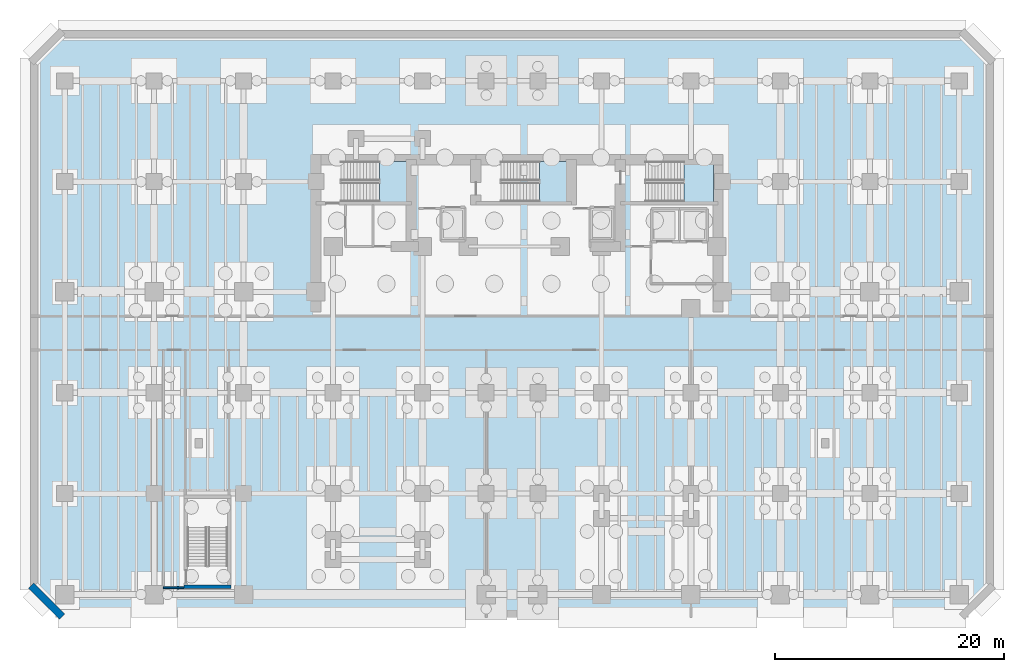
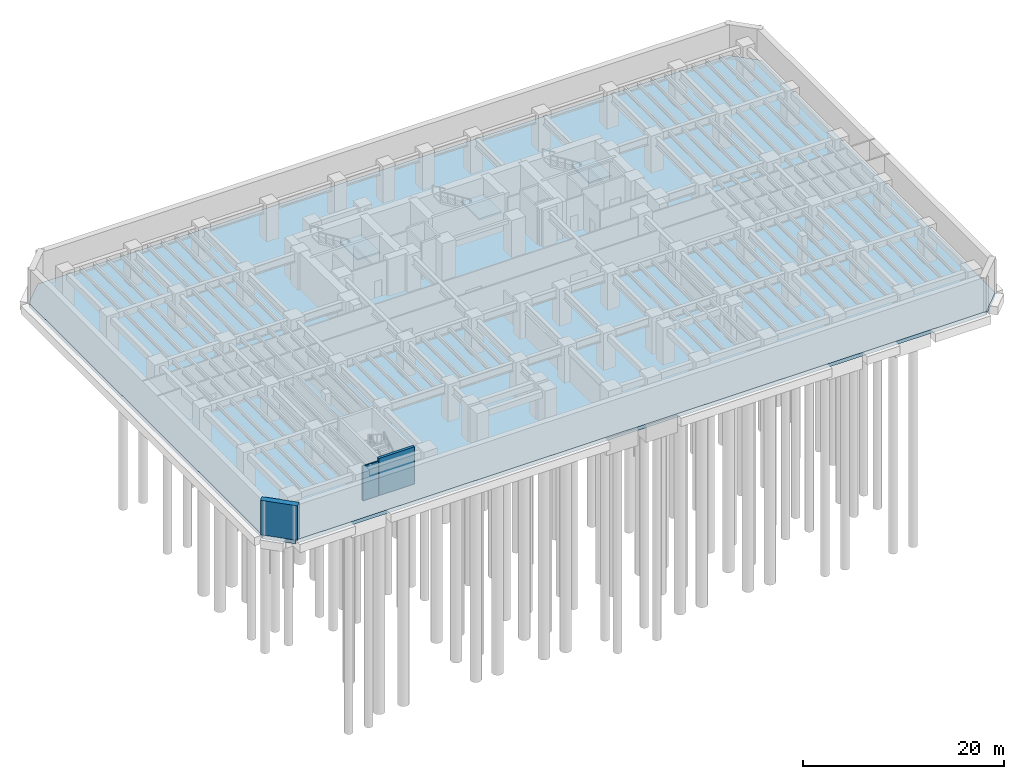
# One storey, part 6 of 13: 4 slabs, 3 walls, 3 elements without a shape of their own.
"""IFC4 building model written with IfcOpenShell, lengths in metres."""

from ifc_helpers import new_model, si_unit, direction, frame, frame_2d, origin, place, context, subcontext, project, spatial, polyline, rectangle, outline, extrude, material, layer, layer_set, type_object, element, aggregate, save


model = new_model("IFC4")

# Units and contexts
model_context = context("Model", 3, precision=1e-05, world=origin(), true_north=direction((0.0, 1.0)))
body_context = subcontext(model_context, "Body", "Model", "MODEL_VIEW")
ifc_project = project(units=[si_unit("LENGTHUNIT", "METRE"), si_unit("AREAUNIT", "SQUARE_METRE"), si_unit("VOLUMEUNIT", "CUBIC_METRE"), si_unit("PLANEANGLEUNIT", "RADIAN"), si_unit("MASSUNIT", "GRAM", prefix="KILO")], contexts=[model_context])

# Site, building, storey
site_placement = place(None, origin())
site = spatial("IfcSite", under=ifc_project, at=site_placement, CompositionType="ELEMENT")
building_placement = place(site_placement, origin())
building = spatial("IfcBuilding", under=site, at=building_placement, Name="Kestravale Grand Hotel", CompositionType="ELEMENT")
storey_placement = place(building_placement, frame((0.0, 0.0, -9.0)))
storey = spatial("IfcBuildingStorey", under=building, at=storey_placement, Name="B2", CompositionType="ELEMENT", Elevation=-9.0)

# Stair, slab
ifc_material_1 = material(Name="Concrete f'c 45 MPa", Category="concrete")
stair_type = type_object("IfcStairType", Name="ST-CORE-450", PredefinedType="HALF_TURN_STAIR", material=ifc_material_1)
stair_1_placement = place(storey_placement, origin())
stair_1 = element("IfcStair", 1, at=stair_1_placement, inside=storey, type_object=stair_type, Name="B2 ST-1", PredefinedType="HALF_TURN_STAIR")
ifc_material_2 = material(Name="Concrete f'c 45 MPa", Category="concrete")
ifc_layer_1 = layer(ifc_material_2, 0.199951171875)
ifc_layer_set_1 = layer_set([ifc_layer_1], Name="SLB-ST-LND200")
slab_type_1 = type_object("IfcSlabType", Name="SLB-ST-LND200", PredefinedType="LANDING", material=ifc_layer_set_1)
slab_1_placement = place(storey_placement, frame((0.0, 0.0, 2.050048828125)))
slab_1 = element("IfcSlab", 2, at=slab_1_placement, type_object=slab_type_1, Name="ST-1 landing 1", PredefinedType="LANDING", context=body_context, shape_type="SweptSolid", body=[
    extrude(outline(polyline([(27.43994140625, 36.64990234375), (30.0, 36.64990234375), (30.0, 40.159912109375), (27.43994140625, 40.159912109375), (27.43994140625, 36.64990234375)])), origin(), (0.0, 0.0, 1.0), 0.199951171875),
])
aggregate(stair_1, [slab_1])

stair_2_placement = place(storey_placement, origin())
stair_2 = element("IfcStair", 3, at=stair_2_placement, inside=storey, type_object=stair_type, Name="B2 ST-2", PredefinedType="HALF_TURN_STAIR")
slab_2_placement = place(storey_placement, frame((0.0, 0.0, 2.050048828125)))
slab_2 = element("IfcSlab", 4, at=slab_2_placement, type_object=slab_type_1, Name="ST-2 landing 1", PredefinedType="LANDING", context=body_context, shape_type="SweptSolid", body=[
    extrude(outline(polyline([(41.389892578125, 36.64990234375), (43.949951171875, 36.64990234375), (43.949951171875, 40.159912109375), (41.389892578125, 40.159912109375), (41.389892578125, 36.64990234375)])), origin(), (0.0, 0.0, 1.0), 0.199951171875),
])
aggregate(stair_2, [slab_2])

stair_3_placement = place(storey_placement, origin())
stair_3 = element("IfcStair", 5, at=stair_3_placement, inside=storey, type_object=stair_type, Name="B2 ST-3", PredefinedType="HALF_TURN_STAIR")
slab_3_placement = place(storey_placement, frame((0.0, 0.0, 2.050048828125)))
slab_3 = element("IfcSlab", 6, at=slab_3_placement, type_object=slab_type_1, Name="ST-3 landing 1", PredefinedType="LANDING", context=body_context, shape_type="SweptSolid", body=[
    extrude(outline(polyline([(53.989990234375, 36.64990234375), (56.550048828125, 36.64990234375), (56.550048828125, 40.159912109375), (53.989990234375, 40.159912109375), (53.989990234375, 36.64990234375)])), origin(), (0.0, 0.0, 1.0), 0.199951171875),
])
aggregate(stair_3, [slab_3])

# Slab
ifc_material_3 = material(Name="Concrete f'c 45 MPa", Category="concrete")
ifc_layer_2 = layer(ifc_material_3, 0.449951171875)
ifc_layer_set_2 = layer_set([ifc_layer_2], Name="SS-BASE-450")
slab_type_2 = type_object("IfcSlabType", Name="SS-BASE-450", PredefinedType="BASESLAB", material=ifc_layer_set_2)
slab_4_placement = place(storey_placement, frame((0.0, 0.0, -0.449951171875)))
element("IfcSlab", 7, at=slab_4_placement, inside=storey, type_object=slab_type_2, Name="B2 structural floor slab", PredefinedType="BASESLAB", context=body_context, shape_type="SweptSolid", body=[
    extrude(outline(polyline([(-0.60009765625, 0.39990234375), (78.60009765625, 0.39990234375), (81.0, 2.800048828125), (81.0, 49.199951171875), (78.60009765625, 51.60009765625), (-0.60009765625, 51.60009765625), (-3.0, 49.199951171875), (-3.0, 2.800048828125), (-0.60009765625, 0.39990234375)])), origin(), (0.0, 0.0, 1.0), 0.449951171875),
])

# Walls
ifc_material_4 = material(Name="Concrete f'c 45 MPa", Category="concrete")
ifc_layer_3 = layer(ifc_material_4, 0.64990234375)
ifc_layer_set_3 = layer_set([ifc_layer_3], Name="EW-RET-650")
wall_type_1 = type_object("IfcWallType", Name="EW-RET-650", PredefinedType="USERDEFINED", material=ifc_layer_set_3)
wall_1_placement = place(storey_placement, frame((-2.92578125, 3.185302734375, 0.0), z_axis=(0.0, 0.0, 1.0), x_axis=(0.707106781187, -0.707106781187, 0.0)))
element("IfcWall", 8, at=wall_1_placement, inside=storey, type_object=wall_type_1, Name="B2 perimeter retaining wall 8", ObjectType="RETAINING WALL", PredefinedType="USERDEFINED", context=body_context, shape_type="SweptSolid", body=[
    extrude(rectangle(XDim=3.834228515625, YDim=0.64990234375, at=frame_2d((1.9169921875, 0.0))), origin(), (0.0, 0.0, 1.0), 4.179931640625),
])
ifc_material_5 = material(Name="Concrete f'c 45 MPa", Category="concrete")
ifc_layer_4 = layer(ifc_material_5, 0.300048828125)
ifc_layer_set_4 = layer_set([ifc_layer_4], Name="EW-STAIR-300")
wall_type_2 = type_object("IfcWallType", Name="EW-STAIR-300", PredefinedType="SHEAR", material=ifc_layer_set_4)
wall_2_placement = place(storey_placement, frame((10.409912109375, 3.070068359375, 0.0), z_axis=(0.0, 0.0, 1.0), x_axis=(1.0, 0.0, 0.0)))
element("IfcWall", 9, at=wall_2_placement, inside=storey, type_object=wall_type_2, Name="B2 stair enclosure shear wall ST4S", PredefinedType="SHEAR", context=body_context, shape_type="SweptSolid", body=[
    extrude(rectangle(XDim=4.070068359375, YDim=0.300048828125, at=frame_2d((2.03515625, 0.0))), origin(), (0.0, 0.0, 1.0), 4.5),
])
ifc_material_6 = material(Name="Acoustic fire-rated gypsum board partition", Category="other")
ifc_layer_5 = layer(ifc_material_6, 0.159912109375)
ifc_layer_set_5 = layer_set([ifc_layer_5], Name="IW-CORR-160")
wall_type_3 = type_object("IfcWallType", Name="IW-CORR-160", PredefinedType="PARTITIONING", material=ifc_layer_set_5)
wall_3_placement = place(storey_placement, frame((8.60009765625, 3.0, 0.0), z_axis=(0.0, 0.0, 1.0), x_axis=(1.0, 0.0, 0.0)))
element("IfcWall", 10, at=wall_3_placement, inside=storey, type_object=wall_type_3, Name="W-B2-WC-S", PredefinedType="PARTITIONING", context=body_context, shape_type="SweptSolid", body=[
    extrude(rectangle(XDim=1.789794921875, YDim=0.159912109375, at=frame_2d((0.89501953125, 0.0))), origin(), (0.0, 0.0, 1.0), 4.179931640625),
])

save(model, "model.ifc")
